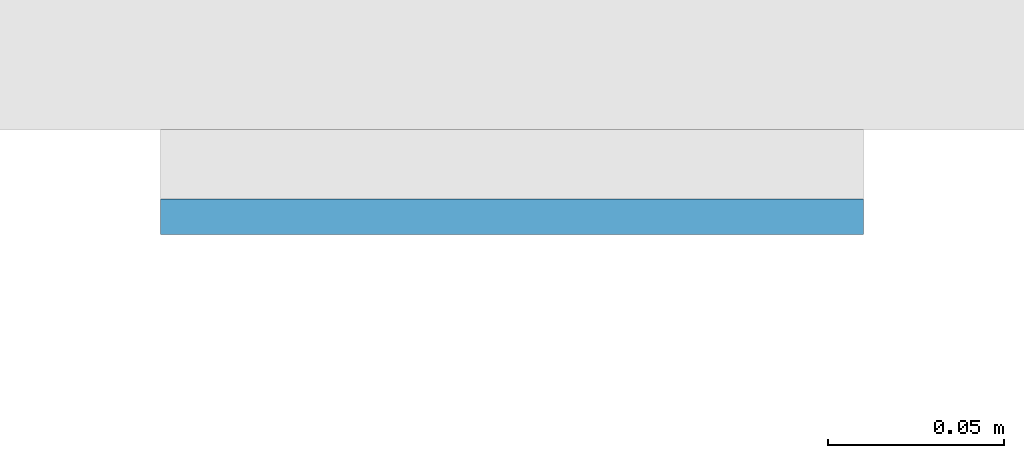
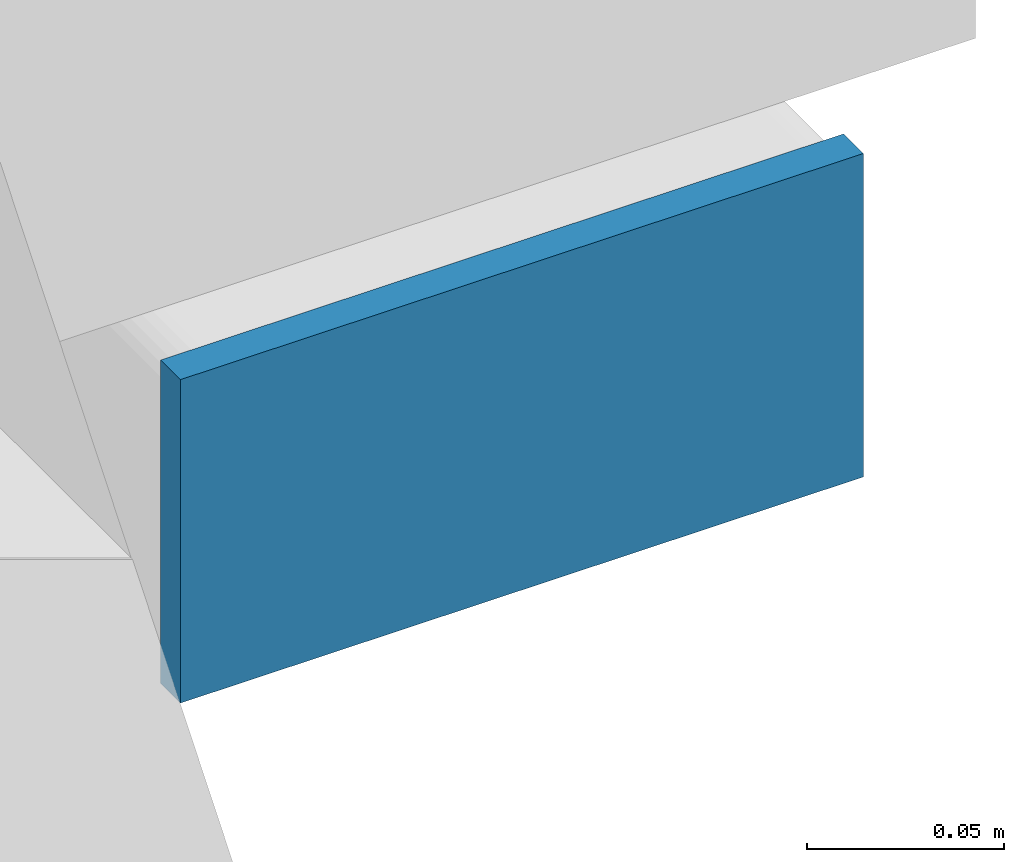
# One storey, part 10 of 20: 1 plate.
"""IFC4 building model written with IfcOpenShell, lengths in metres."""

from ifc_helpers import new_model, si_unit, direction, frame, origin, origin_2d, place, context, subcontext, project, spatial, rectangle, extrude, material, layer, layer_set, type_object, element, save


model = new_model("IFC4")

# Units and contexts
model_context = context("Model", 3, precision=1e-05, world=origin(), true_north=direction((0.0, 1.0)))
body_context = subcontext(model_context, "Body", "Model", "MODEL_VIEW")
ifc_project = project(units=[si_unit("LENGTHUNIT", "METRE"), si_unit("AREAUNIT", "SQUARE_METRE"), si_unit("VOLUMEUNIT", "CUBIC_METRE"), si_unit("PLANEANGLEUNIT", "RADIAN"), si_unit("MASSUNIT", "GRAM", prefix="KILO")], contexts=[model_context])

# Site, building, storey
site_placement = place(None, origin())
site = spatial("IfcSite", under=ifc_project, at=site_placement, CompositionType="ELEMENT")
building_placement = place(site_placement, origin())
building = spatial("IfcBuilding", under=site, at=building_placement, Name="Cleftline Residences", CompositionType="ELEMENT")
storey_placement = place(building_placement, frame((0.0, 0.0, 44.0)))
storey = spatial("IfcBuildingStorey", under=building, at=storey_placement, Name="L10", CompositionType="ELEMENT", Elevation=44.0)

# Plate
ifc_material = material(Name="Steel S355, hot-dip galvanised", Category="steel")
ifc_layer = layer(ifc_material, 0.010009765625)
ifc_layer_set = layer_set([ifc_layer], Name="BAGUETTE CARRIER END PLATE 200X100X10")
plate_type = type_object("IfcPlateType", Name="BAGUETTE CARRIER END PLATE 200X100X10", PredefinedType="USERDEFINED", material=ifc_layer_set)
plate_placement = place(storey_placement, frame((66.85009765625, 3.695068359375, -0.10009765625), z_axis=(0.0, 0.0, 1.0), x_axis=(1.0, 0.0, 0.0)))
element("IfcPlate", 1, at=plate_placement, inside=storey, type_object=plate_type, Name="Baguette carrier end plate", ObjectType="BAGUETTE CARRIER END PLATE", PredefinedType="USERDEFINED", context=body_context, shape_type="SweptSolid", body=[
    extrude(rectangle(XDim=0.199951171875, YDim=0.010009765625, at=origin_2d()), origin(), (0.0, 0.0, 1.0), 0.10009765625),
])

save(model, "model.ifc")
